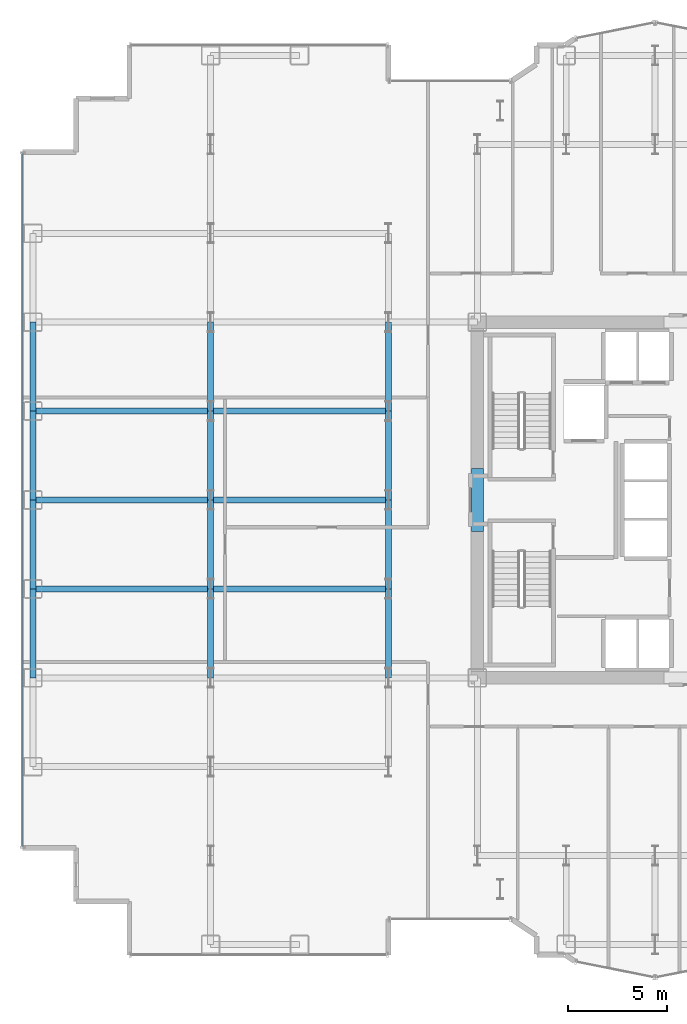
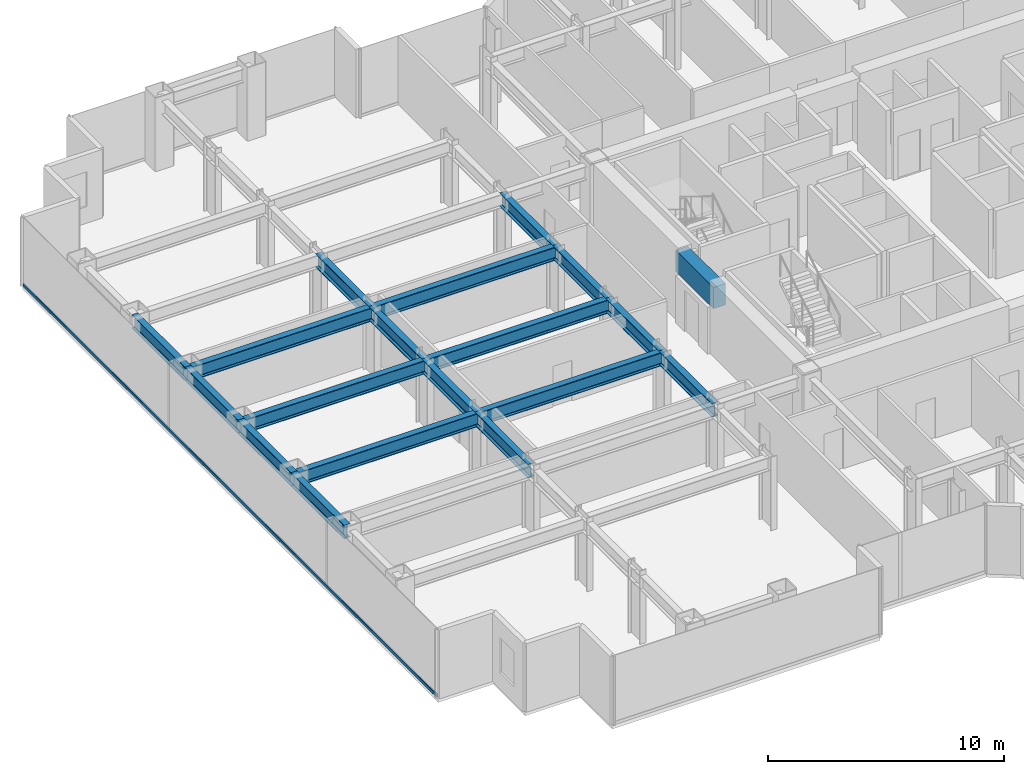
# One storey, part 5 of 26: 19 beams, 1 member, 1 element without a shape of its own.
"""IFC4 building model written with IfcOpenShell, lengths in metres."""

from ifc_helpers import new_model, si_unit, direction, frame, origin, origin_2d, place, context, subcontext, project, spatial, rectangle, hollow_rectangle, i_section, extrude, source, transform, mapped, material, layer, layer_set, material_profile, profile_set, type_object, element, aggregate, save


model = new_model("IFC4")

# Units and contexts
model_context = context("Model", 3, precision=1e-05, world=origin(), true_north=direction((0.0, 1.0)))
body_context = subcontext(model_context, "Body", "Model", "MODEL_VIEW")
ifc_project = project(units=[si_unit("LENGTHUNIT", "METRE"), si_unit("AREAUNIT", "SQUARE_METRE"), si_unit("VOLUMEUNIT", "CUBIC_METRE"), si_unit("PLANEANGLEUNIT", "RADIAN"), si_unit("MASSUNIT", "GRAM", prefix="KILO")], contexts=[model_context])

# Site, building, storey
site_placement = place(None, origin())
site = spatial("IfcSite", under=ifc_project, at=site_placement, CompositionType="ELEMENT")
building_placement = place(site_placement, origin())
building = spatial("IfcBuilding", under=site, at=building_placement, Name="Nefas-Gora Pilgrimage Tower", CompositionType="ELEMENT")
storey_placement = place(building_placement, frame((0.0, 0.0, 36.800048828125)))
storey = spatial("IfcBuildingStorey", under=building, at=storey_placement, Name="L07", CompositionType="ELEMENT", Elevation=36.800048828125)

# Beams
ifc_material_1 = material(Name="Concrete C60/75", Category="concrete")
ifc_material_profile_1 = material_profile(ifc_material_1, rectangle(XDim=0.60009765625, YDim=1.10009765625, at=origin_2d()), Name="RC 600x1100")
ifc_profile_set_1 = profile_set([ifc_material_profile_1], Name="Concrete C60/75")
beam_type_1 = type_object("IfcBeamType", Name="BM-LIN-RC1100", PredefinedType="LINTEL", material=ifc_profile_set_1)
shared_shape_1 = source(origin(), body_context, "Body", "SweptSolid", [
    extrude(rectangle(XDim=0.60009765625, YDim=1.10009765625, at=origin_2d()), origin(), (0.0, 0.0, 1.0), 3.2001953125),
])
beam_placement = place(storey_placement, frame((-11.25, -1.60009765625, 3.0), z_axis=(0.0, 1.0, 0.0), x_axis=(-1.0, 0.0, 0.0)))
element("IfcBeam", 1, at=beam_placement, inside=storey, type_object=beam_type_1, Name="L07 Core Coupling Lintel Beam W", PredefinedType="LINTEL", context=body_context, shape_type="MappedRepresentation", body=[
    mapped(shared_shape_1, transform((0.0, 0.0, 0.0), x_axis=(1.0, 0.0, 0.0), y_axis=(0.0, 1.0, 0.0), z_axis=(0.0, 0.0, 1.0), scale=1.0)),
])
ifc_material_2 = material(Name="Steel S355", Category="steel")
ifc_material_profile_2 = material_profile(ifc_material_2, i_section(OverallWidth=0.300048828125, OverallDepth=0.699951171875, WebThickness=0.01708984375, FlangeThickness=0.031982421875, FilletRadius=0.027099609375, at=origin_2d()), Name="HEB 700")
ifc_profile_set_2 = profile_set([ifc_material_profile_2], Name="Steel S355")
beam_type_2 = type_object("IfcBeamType", Name="BM-SPN-HEB600", PredefinedType="SPANDREL", material=ifc_profile_set_2)
shared_shape_2 = source(origin(), body_context, "Body", "SweptSolid", [
    extrude(i_section(OverallWidth=0.300048828125, OverallDepth=0.699951171875, WebThickness=0.01708984375, FlangeThickness=0.031982421875, FilletRadius=0.027099609375, at=origin_2d()), origin(), (0.0, 0.0, 1.0), 4.5),
])
for number, where, z_axis, x_axis, name in (
    (2, (-33.75, -9.0, 3.199951171875), (0.0, 1.0, 0.0), (-1.0, 0.0, 0.0), "L07 SP-01 beam"),
    (3, (-33.75, -4.5, 3.199951171875), (0.0, 1.0, 0.0), (-1.0, 0.0, 0.0), "L07 SP-01 beam"),
    (4, (-33.75, 0.0, 3.199951171875), (0.0, 1.0, 0.0), (-1.0, 0.0, 0.0), "L07 SP-01 beam"),
    (5, (-33.75, 4.5, 3.199951171875), (0.0, 1.0, 0.0), (-1.0, 0.0, 0.0), "L07 SP-01 beam"),
):
    element("IfcBeam", number, at=place(storey_placement, frame(where, z_axis=z_axis, x_axis=x_axis)), inside=storey, type_object=beam_type_2, Name=name, PredefinedType="SPANDREL", context=body_context, shape_type="MappedRepresentation", body=[
        mapped(shared_shape_2, transform((0.0, 0.0, 0.0), x_axis=(1.0, 0.0, 0.0), y_axis=(0.0, 1.0, 0.0), z_axis=(0.0, 0.0, 1.0), scale=1.0)),
    ])
ifc_material_profile_3 = material_profile(ifc_material_2, i_section(OverallWidth=0.300048828125, OverallDepth=0.699951171875, WebThickness=0.01708984375, FlangeThickness=0.031982421875, FilletRadius=0.027099609375, at=origin_2d()), Name="HEB 700")
ifc_profile_set_3 = profile_set([ifc_material_profile_3], Name="Steel S355")
beam_type_3 = type_object("IfcBeamType", Name="BM-GIR-HEB700", PredefinedType="BEAM", material=ifc_profile_set_3)
shared_shape_3 = source(origin(), body_context, "Body", "SweptSolid", [
    extrude(i_section(OverallWidth=0.300048828125, OverallDepth=0.699951171875, WebThickness=0.01708984375, FlangeThickness=0.031982421875, FilletRadius=0.027099609375, at=origin_2d()), origin(), (0.0, 0.0, 1.0), 9.0),
])
for number, where, z_axis, x_axis, name in (
    (6, (-33.75, -4.5, 3.199951171875), (1.0, 0.0, 0.0), (0.0, 1.0, 0.0), "L07 G-02 beam"),
    (7, (-33.75, 0.0, 3.199951171875), (1.0, 0.0, 0.0), (0.0, 1.0, 0.0), "L07 G-02 beam"),
    (8, (-33.75, 4.5, 3.199951171875), (1.0, 0.0, 0.0), (0.0, 1.0, 0.0), "L07 G-02 beam"),
    (9, (-24.75, -4.5, 3.199951171875), (1.0, 0.0, 0.0), (0.0, 1.0, 0.0), "L07 G-02 beam"),
    (10, (-24.75, 0.0, 3.199951171875), (1.0, 0.0, 0.0), (0.0, 1.0, 0.0), "L07 G-02 beam"),
    (11, (-24.75, 4.5, 3.199951171875), (1.0, 0.0, 0.0), (0.0, 1.0, 0.0), "L07 G-02 beam"),
):
    element("IfcBeam", number, at=place(storey_placement, frame(where, z_axis=z_axis, x_axis=x_axis)), inside=storey, type_object=beam_type_3, Name=name, PredefinedType="BEAM", context=body_context, shape_type="MappedRepresentation", body=[
        mapped(shared_shape_3, transform((0.0, 0.0, 0.0), x_axis=(1.0, 0.0, 0.0), y_axis=(0.0, 1.0, 0.0), z_axis=(0.0, 0.0, 1.0), scale=1.0)),
    ])
shared_shape_4 = source(origin(), body_context, "Body", "SweptSolid", [
    extrude(i_section(OverallWidth=0.300048828125, OverallDepth=0.699951171875, WebThickness=0.01708984375, FlangeThickness=0.031982421875, FilletRadius=0.027099609375, at=origin_2d()), origin(), (0.0, 0.0, 1.0), 4.5),
])
for number, where, z_axis, x_axis, name in (
    (12, (-24.75, -9.0, 3.199951171875), (0.0, 1.0, 0.0), (-1.0, 0.0, 0.0), "L07 G-02 beam"),
    (13, (-24.75, -4.5, 3.199951171875), (0.0, 1.0, 0.0), (-1.0, 0.0, 0.0), "L07 G-02 beam"),
    (14, (-24.75, 0.0, 3.199951171875), (0.0, 1.0, 0.0), (-1.0, 0.0, 0.0), "L07 G-02 beam"),
    (15, (-24.75, 4.5, 3.199951171875), (0.0, 1.0, 0.0), (-1.0, 0.0, 0.0), "L07 G-02 beam"),
    (16, (-15.75, -9.0, 3.199951171875), (0.0, 1.0, 0.0), (-1.0, 0.0, 0.0), "L07 G-02 beam"),
    (17, (-15.75, -4.5, 3.199951171875), (0.0, 1.0, 0.0), (-1.0, 0.0, 0.0), "L07 G-02 beam"),
    (18, (-15.75, 0.0, 3.199951171875), (0.0, 1.0, 0.0), (-1.0, 0.0, 0.0), "L07 G-02 beam"),
    (19, (-15.75, 4.5, 3.199951171875), (0.0, 1.0, 0.0), (-1.0, 0.0, 0.0), "L07 G-02 beam"),
):
    element("IfcBeam", number, at=place(storey_placement, frame(where, z_axis=z_axis, x_axis=x_axis)), inside=storey, type_object=beam_type_3, Name=name, PredefinedType="BEAM", context=body_context, shape_type="MappedRepresentation", body=[
        mapped(shared_shape_4, transform((0.0, 0.0, 0.0), x_axis=(1.0, 0.0, 0.0), y_axis=(0.0, 1.0, 0.0), z_axis=(0.0, 0.0, 1.0), scale=1.0)),
    ])

# Curtain wall, member
ifc_material_3 = material(Name="Dark ceramic-fritted solar-control aluminium-glass curtain wall", Category="aluminium")
ifc_layer = layer(ifc_material_3, 0.219970703125)
ifc_layer_set = layer_set([ifc_layer], Name="Dark ceramic-fritted solar-control aluminium-glass curtain wall")
curtain_wall_type = type_object("IfcCurtainWallType", Name="CW-SYS-2", PredefinedType="NOTDEFINED", material=ifc_layer_set)
curtain_wall_placement = place(storey_placement, origin())
curtain_wall = element("IfcCurtainWall", 20, at=curtain_wall_placement, inside=storey, type_object=curtain_wall_type, Name="L07 Unitised Curtain Wall CW2", PredefinedType="NOTDEFINED")
ifc_material_4 = material(Name="Anodised architectural aluminium", Category="aluminium")
ifc_material_profile_4 = material_profile(ifc_material_4, hollow_rectangle(XDim=0.080078125, YDim=0.159912109375, WallThickness=0.00439453125, InnerFilletRadius=0.00439453125, OuterFilletRadius=0.009033203125, at=origin_2d()), Name="ALU TRANSOM 80x160")
ifc_profile_set_4 = profile_set([ifc_material_profile_4], Name="Anodised architectural aluminium")
member_type = type_object("IfcMemberType", Name="CWM-TRN-2", PredefinedType="USERDEFINED", material=ifc_profile_set_4)
shared_shape_5 = source(origin(), body_context, "Body", "SweptSolid", [
    extrude(hollow_rectangle(XDim=0.080078125, YDim=0.159912109375, WallThickness=0.00439453125, InnerFilletRadius=0.00439453125, OuterFilletRadius=0.009033203125, at=origin_2d()), origin(), (0.0, 0.0, 1.0), 35.06005859375),
])
member_placement = place(storey_placement, frame((-34.27001953125, 17.530029296875, 0.050048828125), z_axis=(0.0, -1.0, 0.0), x_axis=(1.0, 0.0, 0.0)))
member = element("IfcMember", 21, at=member_placement, type_object=member_type, Name="CW2 Spandrel Transom", ObjectType="TRANSOM", PredefinedType="USERDEFINED", context=body_context, shape_type="MappedRepresentation", body=[
    mapped(shared_shape_5, transform((0.0, 0.0, 0.0), x_axis=(1.0, 0.0, 0.0), y_axis=(0.0, 1.0, 0.0), z_axis=(0.0, 0.0, 1.0), scale=1.0)),
])
aggregate(curtain_wall, [member])

save(model, "model.ifc")
